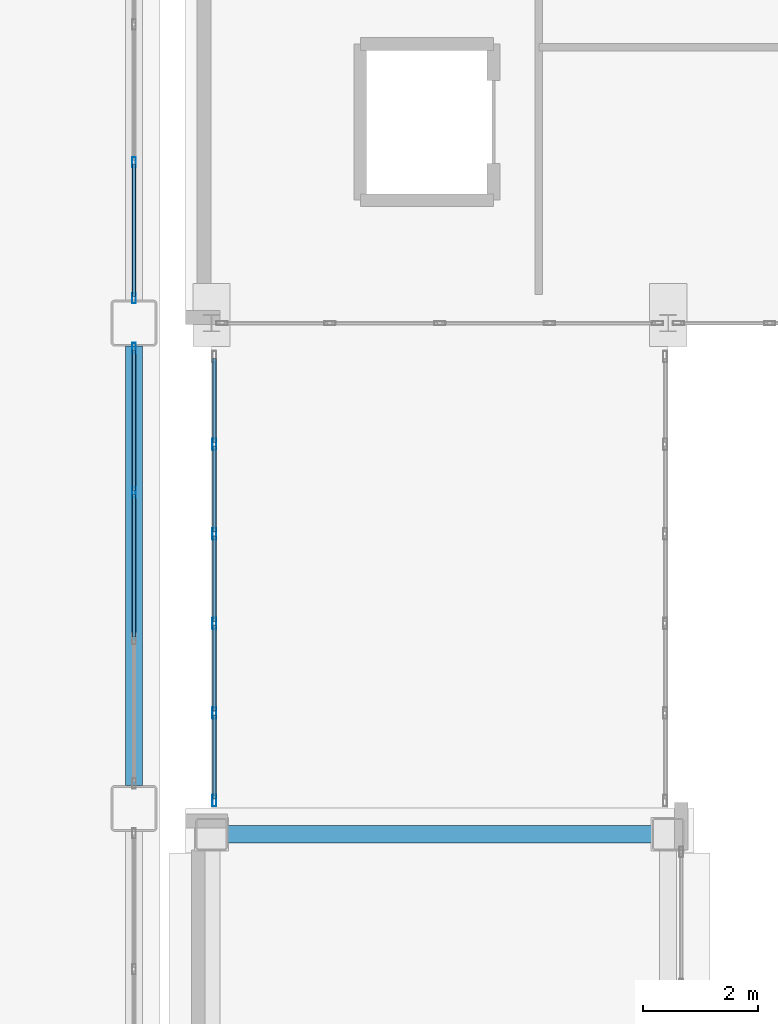
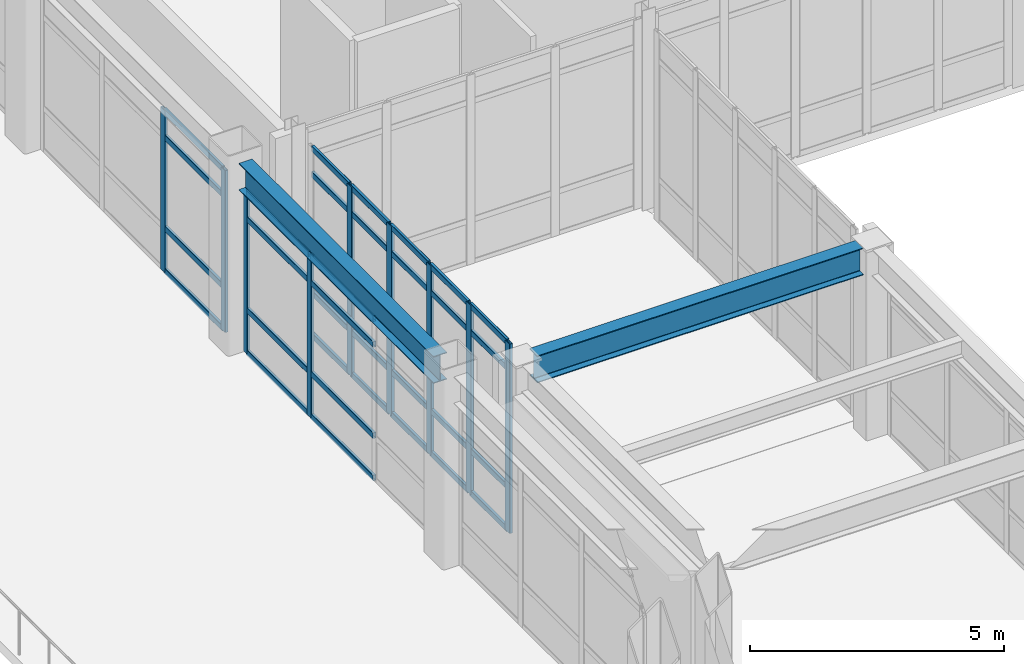
# One storey, part 63 of 154: 41 members, 2 beams, 3 elements without a shape of their own.
"""IFC4 building model written with IfcOpenShell, lengths in metres."""

import ifcopenshell
import ifcopenshell.guid

model = None  # the IFC model being written
_history = None  # IfcOwnerHistory: only IFC2X3 demands one
_inside = {}  # id of a spatial element -> (the spatial element, [elements in it])
_under = {}  # id of a project, library or spatial element -> (it, [spatial elements below it])
_declared = {}  # id of a project -> (the project, [libraries it declares])
_typed = {}  # id of a type object -> (the type object, [elements of that type])
_made_of = {}  # id of a material, layer set ... -> (it, [elements and type objects made of it])


def new_model(schema):
    """Start an empty IFC model of exactly this schema.

    Asked for "IFC4X3", IfcOpenShell would pick the latest addendum, in which some entities
    have other attributes; the version numbers below select the first issue.
    IFC2X3 requires an IfcOwnerHistory on every rooted entity: one is made here for all.
    """
    global model, _history
    if schema == "IFC4X3":
        model = ifcopenshell.file(schema_version=(4, 3, 0, 0))
    else:
        model = ifcopenshell.file(schema=schema)
    _inside.clear()
    _under.clear()
    _declared.clear()
    _typed.clear()
    _made_of.clear()
    _history = None
    if model.schema == "IFC2X3":
        org = make("IfcOrganization", Name="unknown")
        user = make(
            "IfcPersonAndOrganization",
            ThePerson=make("IfcPerson", FamilyName="unknown"),
            TheOrganization=org,
        )
        app = make(
            "IfcApplication",
            ApplicationDeveloper=org,
            Version="unknown",
            ApplicationFullName="unknown",
            ApplicationIdentifier="unknown",
        )
        _history = make(
            "IfcOwnerHistory",
            OwningUser=user,
            OwningApplication=app,
            ChangeAction="ADDED",
            CreationDate=0,
        )
    return model


def make(cls, **values):
    """One entity of the class cls with the attributes given. An attribute that is None is left unset."""
    return model.create_entity(
        cls, **{name: value for name, value in values.items() if value is not None}
    )


def rooted(cls, **values):
    """An entity with a GlobalId (a new one), such as an element, a storey or a relation."""
    return make(cls, GlobalId=ifcopenshell.guid.new(), OwnerHistory=_history, **values)


def si_unit(unit_type, name, prefix=None):
    """IfcSIUnit, for example si_unit("LENGTHUNIT", "METRE", prefix="MILLI")."""
    return make("IfcSIUnit", UnitType=unit_type, Prefix=prefix, Name=name)


def assignment(units):
    """IfcUnitAssignment: the units of a project."""
    return None if units is None else make("IfcUnitAssignment", Units=units)


def point(xyz):
    """IfcCartesianPoint."""
    return None if xyz is None else make("IfcCartesianPoint", Coordinates=xyz)


def direction(xyz):
    """IfcDirection."""
    return None if xyz is None else make("IfcDirection", DirectionRatios=xyz)


def frame(location, z_axis=None, x_axis=None):
    """IfcAxis2Placement3D, a coordinate frame: its origin and axes. An axis left out is left unset."""
    return make(
        "IfcAxis2Placement3D",
        Location=point(location),
        Axis=direction(z_axis),
        RefDirection=direction(x_axis),
    )


def frame_2d(location, x_axis=None):
    """IfcAxis2Placement2D, a coordinate frame in the plane: its origin and x axis."""
    return make(
        "IfcAxis2Placement2D", Location=point(location), RefDirection=direction(x_axis)
    )


def origin():
    """The frame at (0, 0, 0) with its axes left unset."""
    return frame((0.0, 0.0, 0.0))


def origin_2d():
    """The frame at (0, 0) in the plane with its x axis left unset."""
    return frame_2d((0.0, 0.0))


def place(relative_to, where):
    """IfcLocalPlacement: puts the frame where relative to a parent placement (None: the world)."""
    return make(
        "IfcLocalPlacement", PlacementRelTo=relative_to, RelativePlacement=where
    )


def context(
    kind, dimensions, precision=None, world=None, true_north=None, identifier=None
):
    """IfcGeometricRepresentationContext, for example the 3D "Model" context."""
    return make(
        "IfcGeometricRepresentationContext",
        ContextIdentifier=identifier,
        ContextType=kind,
        CoordinateSpaceDimension=dimensions,
        Precision=precision,
        WorldCoordinateSystem=world,
        TrueNorth=true_north,
    )


def subcontext(parent, identifier, kind, view, scale=None):
    """IfcGeometricRepresentationSubContext, for example "Body" below "Model"."""
    return make(
        "IfcGeometricRepresentationSubContext",
        ContextIdentifier=identifier,
        ContextType=kind,
        ParentContext=parent,
        TargetScale=scale,
        TargetView=view,
    )


def project(units=None, contexts=None):
    """IfcProject with its units and contexts."""
    return rooted(
        "IfcProject",
        Name="project",
        RepresentationContexts=contexts,
        UnitsInContext=assignment(units),
    )


def spatial(cls, under=None, at=None, **own):
    """A site, building, storey or space (cls), placed at a placement, below another one or the project."""
    s = rooted(cls, ObjectPlacement=at, **own)
    if under is not None:
        _under.setdefault(under.id(), (under, []))[1].append(s)
    return s


def profile(cls, at=None, kind="AREA", **sizes):
    """A parametric profile (cls). Its sizes go by their IFC names, for example OverallWidth=200.0."""
    return make(cls, ProfileType=kind, Position=at, **sizes)


def hollow_rectangle(**sizes):
    """IfcRectangleHollowProfileDef."""
    return profile("IfcRectangleHollowProfileDef", **sizes)


def i_section(**sizes):
    """IfcIShapeProfileDef."""
    return profile("IfcIShapeProfileDef", **sizes)


def extrude(swept, where, along, depth):
    """IfcExtrudedAreaSolid: the profile swept, set in the frame where, extruded along a direction by depth."""
    return make(
        "IfcExtrudedAreaSolid",
        SweptArea=swept,
        Position=where,
        ExtrudedDirection=direction(along),
        Depth=depth,
    )


def shape(context_of_items, identifier, shape_type, items):
    """IfcShapeRepresentation: the items that make up one representation, for example the "Body"."""
    return make(
        "IfcShapeRepresentation",
        ContextOfItems=context_of_items,
        RepresentationIdentifier=identifier,
        RepresentationType=shape_type,
        Items=items,
    )


def material(Name=None, Category=None):
    """IfcMaterial."""
    return make("IfcMaterial", Name=Name, Category=Category)


def layer(
    of_material, thickness, ventilated=None, Name=None, Category=None, Priority=None
):
    """IfcMaterialLayer: one layer of a wall or slab, of a material (None: an air gap)."""
    return make(
        "IfcMaterialLayer",
        Material=of_material,
        LayerThickness=thickness,
        IsVentilated=ventilated,
        Name=Name,
        Category=Category,
        Priority=Priority,
    )


def layer_set(layers, Name=None):
    """IfcMaterialLayerSet."""
    return make("IfcMaterialLayerSet", MaterialLayers=layers, LayerSetName=Name)


def material_profile(
    of_material, cross_section, Name=None, Category=None, Priority=None
):
    """IfcMaterialProfile: a cross section and its material."""
    return make(
        "IfcMaterialProfile",
        Name=Name,
        Material=of_material,
        Profile=cross_section,
        Priority=Priority,
        Category=Category,
    )


def profile_set(profiles, Name=None, composite=None):
    """IfcMaterialProfileSet."""
    return make(
        "IfcMaterialProfileSet",
        Name=Name,
        MaterialProfiles=profiles,
        CompositeProfile=composite,
    )


def made_of(thing, what):
    """Note that an element or type object is made of a material, layer set ...; save() writes the relation."""
    if what is not None:
        _made_of.setdefault(what.id(), (what, []))[1].append(thing)
    return thing


def type_object(cls, material=None, **own):
    """A type object (cls), such as IfcWallType, which elements share."""
    return made_of(rooted(cls, **own), material)


def element(
    cls,
    number,
    at=None,
    inside=None,
    cuts=None,
    type_object=None,
    material=None,
    context=None,
    identifier="Body",
    shape_type=None,
    held_by="IfcProductDefinitionShape",
    body=None,
    shapes=None,
    **own,
):
    """One element of the class cls, such as IfcWall. Its Tag is "e" and its number.

    at: its placement. inside: the storey or other place that contains it. cuts: it is an
    opening in that element (IfcRelVoidsElement). A single representation is given by context,
    identifier, shape_type and body (its items); several are given by shapes. held_by: the class
    of the entity that holds the representations. save() writes the other relations.
    """
    e = rooted(cls, Tag="e%d" % number, ObjectPlacement=at, **own)
    if body is not None:
        shapes = [shape(context, identifier, shape_type, body)]
    if shapes is not None:
        e.Representation = make(held_by, Representations=shapes)
    if inside is not None:
        _inside.setdefault(inside.id(), (inside, []))[1].append(e)
    if cuts is not None:
        rooted(
            "IfcRelVoidsElement", RelatingBuildingElement=cuts, RelatedOpeningElement=e
        )
    if type_object is not None:
        _typed.setdefault(type_object.id(), (type_object, []))[1].append(e)
    return made_of(e, material)


def aggregate(whole, parts):
    """IfcRelAggregates: a whole, such as a stair, and the parts it consists of."""
    return rooted("IfcRelAggregates", RelatingObject=whole, RelatedObjects=parts)


def save(model, path):
    """Write the relations noted so far, then the file.

    IfcRelAggregates (storeys below a building ...), IfcRelContainedInSpatialStructure (elements
    in a storey), IfcRelDefinesByType, IfcRelAssociatesMaterial and IfcRelDeclares: one each for
    every whole, place, type object, material and project.
    """
    for whole, parts in _under.values():
        aggregate(whole, parts)
    for where, things in _inside.values():
        rooted(
            "IfcRelContainedInSpatialStructure",
            RelatedElements=things,
            RelatingStructure=where,
        )
    for kind, things in _typed.values():
        rooted("IfcRelDefinesByType", RelatedObjects=things, RelatingType=kind)
    for what, things in _made_of.values():
        rooted("IfcRelAssociatesMaterial", RelatedObjects=things, RelatingMaterial=what)
    for by, libraries in _declared.values():
        rooted("IfcRelDeclares", RelatingContext=by, RelatedDefinitions=libraries)
    model.write(path)


model = new_model("IFC4")

# Units and contexts
model_context = context("Model", 3, precision=1e-05, world=origin(), true_north=direction((0.0, 1.0)))
body_context = subcontext(model_context, "Body", "Model", "MODEL_VIEW")
ifc_project = project(units=[si_unit("LENGTHUNIT", "METRE"), si_unit("AREAUNIT", "SQUARE_METRE"), si_unit("VOLUMEUNIT", "CUBIC_METRE"), si_unit("PLANEANGLEUNIT", "RADIAN"), si_unit("MASSUNIT", "GRAM", prefix="KILO")], contexts=[model_context])

# Site, building, storey
site_placement = place(None, origin())
site = spatial("IfcSite", under=ifc_project, at=site_placement, CompositionType="ELEMENT")
building_placement = place(site_placement, origin())
building = spatial("IfcBuilding", under=site, at=building_placement, Name="Kazehara Bluff Congress Hotel", CompositionType="ELEMENT")
storey_placement = place(building_placement, frame((0.0, 0.0, 10.199951171875)))
storey = spatial("IfcBuildingStorey", under=building, at=storey_placement, Name="L02", CompositionType="ELEMENT", Elevation=10.199951171875)

# Curtain wall, members
ifc_material_1 = material(Name="Anodised aluminium", Category="aluminium")
ifc_layer_1 = layer(ifc_material_1, 0.159912109375)
ifc_layer_set_1 = layer_set([ifc_layer_1], Name="Anodised aluminium")
curtain_wall_type_1 = type_object("IfcCurtainWallType", Name="TP-CW-22", PredefinedType="NOTDEFINED", material=ifc_layer_set_1)
curtain_wall_1_placement = place(storey_placement, origin())
curtain_wall_1 = element("IfcCurtainWall", 1, at=curtain_wall_1_placement, inside=storey, type_object=curtain_wall_type_1, Name="L02 curtain wall CW-22 CW-V1-L02-X5835-7285", PredefinedType="NOTDEFINED")
ifc_material_2 = material(Name="Anodised aluminium", Category="aluminium")
ifc_material_profile_1 = material_profile(ifc_material_2, hollow_rectangle(XDim=0.06494140625, YDim=0.179931640625, WallThickness=0.00390625, InnerFilletRadius=0.00390625, OuterFilletRadius=0.008056640625, at=origin_2d()))
ifc_profile_set_1 = profile_set([ifc_material_profile_1], Name="Anodised aluminium")
member_type_1 = type_object("IfcMemberType", Name="TP-CWM-02", PredefinedType="MULLION", material=ifc_profile_set_1)
member_1_placement = place(storey_placement, frame((58.35009765625, 77.949951171875, 0.0), z_axis=(0.0, 0.0, 1.0), x_axis=(-1.0, 0.0, 0.0)))
member_1 = element("IfcMember", 2, at=member_1_placement, type_object=member_type_1, Name="CW-22 mullion 3", PredefinedType="MULLION", context=body_context, shape_type="SweptSolid", body=[
    extrude(hollow_rectangle(XDim=0.06494140625, YDim=0.179931640625, WallThickness=0.00390625, InnerFilletRadius=0.00390625, OuterFilletRadius=0.008056640625, at=origin_2d()), origin(), (0.0, 0.0, 1.0), 3.885009765625),
])
member_2_placement = place(storey_placement, frame((58.35009765625, 80.467529296875, 0.0), z_axis=(0.0, 0.0, 1.0), x_axis=(-1.0, 0.0, 0.0)))
member_2 = element("IfcMember", 3, at=member_2_placement, type_object=member_type_1, Name="CW-22 mullion 4", PredefinedType="MULLION", context=body_context, shape_type="SweptSolid", body=[
    extrude(hollow_rectangle(XDim=0.06494140625, YDim=0.179931640625, WallThickness=0.00390625, InnerFilletRadius=0.00390625, OuterFilletRadius=0.008056640625, at=origin_2d()), origin(), (0.0, 0.0, 1.0), 3.885009765625),
])

ifc_material_3 = material(Name="Anodised aluminium", Category="aluminium")
ifc_layer_2 = layer(ifc_material_3, 0.159912109375)
ifc_layer_set_2 = layer_set([ifc_layer_2], Name="Anodised aluminium")
curtain_wall_type_2 = type_object("IfcCurtainWallType", Name="TP-CW-23", PredefinedType="NOTDEFINED", material=ifc_layer_set_2)
curtain_wall_2_placement = place(storey_placement, origin())
curtain_wall_2 = element("IfcCurtainWall", 4, at=curtain_wall_2_placement, inside=storey, type_object=curtain_wall_type_2, Name="L02 curtain wall CW-23 CW-V1-L02-X5835-8130", PredefinedType="NOTDEFINED")
member_3_placement = place(storey_placement, frame((58.35009765625, 81.33251953125, 0.0), z_axis=(0.0, 0.0, 1.0), x_axis=(-1.0, 0.0, 0.0)))
member_3 = element("IfcMember", 5, at=member_3_placement, type_object=member_type_1, Name="CW-23 mullion 1", PredefinedType="MULLION", context=body_context, shape_type="SweptSolid", body=[
    extrude(hollow_rectangle(XDim=0.06494140625, YDim=0.179931640625, WallThickness=0.00390625, InnerFilletRadius=0.00390625, OuterFilletRadius=0.008056640625, at=origin_2d()), origin(), (0.0, 0.0, 1.0), 3.885009765625),
])
member_4_placement = place(storey_placement, frame((58.35009765625, 83.699951171875, 0.0), z_axis=(0.0, 0.0, 1.0), x_axis=(-1.0, 0.0, 0.0)))
member_4 = element("IfcMember", 6, at=member_4_placement, type_object=member_type_1, Name="CW-23 mullion 2", PredefinedType="MULLION", context=body_context, shape_type="SweptSolid", body=[
    extrude(hollow_rectangle(XDim=0.06494140625, YDim=0.179931640625, WallThickness=0.00390625, InnerFilletRadius=0.00390625, OuterFilletRadius=0.008056640625, at=origin_2d()), origin(), (0.0, 0.0, 1.0), 3.885009765625),
])

ifc_material_4 = material(Name="Anodised aluminium", Category="aluminium")
ifc_layer_3 = layer(ifc_material_4, 0.159912109375)
ifc_layer_set_3 = layer_set([ifc_layer_3], Name="Anodised aluminium")
curtain_wall_type_3 = type_object("IfcCurtainWallType", Name="TP-CW-03", PredefinedType="NOTDEFINED", material=ifc_layer_set_3)
curtain_wall_3_placement = place(storey_placement, origin())
curtain_wall_3 = element("IfcCurtainWall", 7, at=curtain_wall_3_placement, inside=storey, type_object=curtain_wall_type_3, Name="L02 curtain wall CW-03 CW-BRG-34-L02-A", PredefinedType="NOTDEFINED")
ifc_material_5 = material(Name="Anodised aluminium", Category="aluminium")
ifc_material_profile_2 = material_profile(ifc_material_5, hollow_rectangle(XDim=0.070068359375, YDim=0.199951171875, WallThickness=0.0048828125, InnerFilletRadius=0.0048828125, OuterFilletRadius=0.010009765625, at=origin_2d()))
ifc_profile_set_2 = profile_set([ifc_material_profile_2], Name="Anodised aluminium")
member_type_2 = type_object("IfcMemberType", Name="TP-CWM-03", PredefinedType="MULLION", material=ifc_profile_set_2)
member_5_placement = place(storey_placement, frame((59.75, 72.5849609375, 0.0), z_axis=(0.0, 0.0, 1.0), x_axis=(-1.0, 0.0, 0.0)))
member_5 = element("IfcMember", 8, at=member_5_placement, type_object=member_type_2, Name="CW-03 mullion 1", PredefinedType="MULLION", context=body_context, shape_type="SweptSolid", body=[
    extrude(hollow_rectangle(XDim=0.070068359375, YDim=0.199951171875, WallThickness=0.0048828125, InnerFilletRadius=0.0048828125, OuterFilletRadius=0.010009765625, at=origin_2d()), origin(), (0.0, 0.0, 1.0), 4.545166015625),
])
member_6_placement = place(storey_placement, frame((59.75, 74.110107421875, 0.0), z_axis=(0.0, 0.0, 1.0), x_axis=(-1.0, 0.0, 0.0)))
member_6 = element("IfcMember", 9, at=member_6_placement, type_object=member_type_2, Name="CW-03 mullion 2", PredefinedType="MULLION", context=body_context, shape_type="SweptSolid", body=[
    extrude(hollow_rectangle(XDim=0.070068359375, YDim=0.199951171875, WallThickness=0.0048828125, InnerFilletRadius=0.0048828125, OuterFilletRadius=0.010009765625, at=origin_2d()), origin(), (0.0, 0.0, 1.0), 4.545166015625),
])
member_7_placement = place(storey_placement, frame((59.75, 75.669921875, 0.0), z_axis=(0.0, 0.0, 1.0), x_axis=(-1.0, 0.0, 0.0)))
member_7 = element("IfcMember", 10, at=member_7_placement, type_object=member_type_2, Name="CW-03 mullion 3", PredefinedType="MULLION", context=body_context, shape_type="SweptSolid", body=[
    extrude(hollow_rectangle(XDim=0.070068359375, YDim=0.199951171875, WallThickness=0.0048828125, InnerFilletRadius=0.0048828125, OuterFilletRadius=0.010009765625, at=origin_2d()), origin(), (0.0, 0.0, 1.0), 4.545166015625),
])
member_8_placement = place(storey_placement, frame((59.75, 77.22998046875, 0.0), z_axis=(0.0, 0.0, 1.0), x_axis=(-1.0, 0.0, 0.0)))
member_8 = element("IfcMember", 11, at=member_8_placement, type_object=member_type_2, Name="CW-03 mullion 4", PredefinedType="MULLION", context=body_context, shape_type="SweptSolid", body=[
    extrude(hollow_rectangle(XDim=0.070068359375, YDim=0.199951171875, WallThickness=0.0048828125, InnerFilletRadius=0.0048828125, OuterFilletRadius=0.010009765625, at=origin_2d()), origin(), (0.0, 0.0, 1.0), 4.545166015625),
])
member_9_placement = place(storey_placement, frame((59.75, 78.7900390625, 0.0), z_axis=(0.0, 0.0, 1.0), x_axis=(-1.0, 0.0, 0.0)))
member_9 = element("IfcMember", 12, at=member_9_placement, type_object=member_type_2, Name="CW-03 mullion 5", PredefinedType="MULLION", context=body_context, shape_type="SweptSolid", body=[
    extrude(hollow_rectangle(XDim=0.070068359375, YDim=0.199951171875, WallThickness=0.0048828125, InnerFilletRadius=0.0048828125, OuterFilletRadius=0.010009765625, at=origin_2d()), origin(), (0.0, 0.0, 1.0), 4.545166015625),
])
ifc_material_6 = material(Name="Anodised aluminium", Category="aluminium")
ifc_material_profile_3 = material_profile(ifc_material_6, hollow_rectangle(XDim=0.06494140625, YDim=0.139892578125, WallThickness=0.00390625, InnerFilletRadius=0.00390625, OuterFilletRadius=0.008056640625, at=origin_2d()))
ifc_profile_set_3 = profile_set([ifc_material_profile_3], Name="Anodised aluminium")
member_type_3 = type_object("IfcMemberType", Name="TP-CWT-02", PredefinedType="USERDEFINED", material=ifc_profile_set_3)
member_10_placement = place(storey_placement, frame((59.75, 72.6201171875, 0.032470703125), z_axis=(0.0, 1.0, 0.0), x_axis=(-1.0, 0.0, 0.0)))
member_10 = element("IfcMember", 13, at=member_10_placement, type_object=member_type_3, Name="CW-03 transom 1.1", ObjectType="TRANSOM", PredefinedType="USERDEFINED", context=body_context, shape_type="SweptSolid", body=[
    extrude(hollow_rectangle(XDim=0.06494140625, YDim=0.139892578125, WallThickness=0.00390625, InnerFilletRadius=0.00390625, OuterFilletRadius=0.008056640625, at=origin_2d()), origin(), (0.0, 0.0, 1.0), 1.454833984375),
])
member_11_placement = place(storey_placement, frame((59.75, 72.6201171875, 1.050048828125), z_axis=(0.0, 1.0, 0.0), x_axis=(-1.0, 0.0, 0.0)))
member_11 = element("IfcMember", 14, at=member_11_placement, type_object=member_type_3, Name="CW-03 transom 1.2", ObjectType="TRANSOM", PredefinedType="USERDEFINED", context=body_context, shape_type="SweptSolid", body=[
    extrude(hollow_rectangle(XDim=0.06494140625, YDim=0.139892578125, WallThickness=0.00390625, InnerFilletRadius=0.00390625, OuterFilletRadius=0.008056640625, at=origin_2d()), origin(), (0.0, 0.0, 1.0), 1.454833984375),
])
member_12_placement = place(storey_placement, frame((59.75, 72.6201171875, 3.89501953125), z_axis=(0.0, 1.0, 0.0), x_axis=(-1.0, 0.0, 0.0)))
member_12 = element("IfcMember", 15, at=member_12_placement, type_object=member_type_3, Name="CW-03 transom 1.3", ObjectType="TRANSOM", PredefinedType="USERDEFINED", context=body_context, shape_type="SweptSolid", body=[
    extrude(hollow_rectangle(XDim=0.06494140625, YDim=0.139892578125, WallThickness=0.00390625, InnerFilletRadius=0.00390625, OuterFilletRadius=0.008056640625, at=origin_2d()), origin(), (0.0, 0.0, 1.0), 1.454833984375),
])
member_13_placement = place(storey_placement, frame((59.75, 72.6201171875, 4.512451171875), z_axis=(0.0, 1.0, 0.0), x_axis=(-1.0, 0.0, 0.0)))
member_13 = element("IfcMember", 16, at=member_13_placement, type_object=member_type_3, Name="CW-03 transom 1.4", ObjectType="TRANSOM", PredefinedType="USERDEFINED", context=body_context, shape_type="SweptSolid", body=[
    extrude(hollow_rectangle(XDim=0.06494140625, YDim=0.139892578125, WallThickness=0.00390625, InnerFilletRadius=0.00390625, OuterFilletRadius=0.008056640625, at=origin_2d()), origin(), (0.0, 0.0, 1.0), 1.454833984375),
])
member_14_placement = place(storey_placement, frame((59.75, 74.14501953125, 0.032470703125), z_axis=(0.0, 1.0, 0.0), x_axis=(-1.0, 0.0, 0.0)))
member_14 = element("IfcMember", 17, at=member_14_placement, type_object=member_type_3, Name="CW-03 transom 2.1", ObjectType="TRANSOM", PredefinedType="USERDEFINED", context=body_context, shape_type="SweptSolid", body=[
    extrude(hollow_rectangle(XDim=0.06494140625, YDim=0.139892578125, WallThickness=0.00390625, InnerFilletRadius=0.00390625, OuterFilletRadius=0.008056640625, at=origin_2d()), origin(), (0.0, 0.0, 1.0), 1.489990234375),
])
member_15_placement = place(storey_placement, frame((59.75, 74.14501953125, 1.050048828125), z_axis=(0.0, 1.0, 0.0), x_axis=(-1.0, 0.0, 0.0)))
member_15 = element("IfcMember", 18, at=member_15_placement, type_object=member_type_3, Name="CW-03 transom 2.2", ObjectType="TRANSOM", PredefinedType="USERDEFINED", context=body_context, shape_type="SweptSolid", body=[
    extrude(hollow_rectangle(XDim=0.06494140625, YDim=0.139892578125, WallThickness=0.00390625, InnerFilletRadius=0.00390625, OuterFilletRadius=0.008056640625, at=origin_2d()), origin(), (0.0, 0.0, 1.0), 1.489990234375),
])
member_16_placement = place(storey_placement, frame((59.75, 74.14501953125, 3.89501953125), z_axis=(0.0, 1.0, 0.0), x_axis=(-1.0, 0.0, 0.0)))
member_16 = element("IfcMember", 19, at=member_16_placement, type_object=member_type_3, Name="CW-03 transom 2.3", ObjectType="TRANSOM", PredefinedType="USERDEFINED", context=body_context, shape_type="SweptSolid", body=[
    extrude(hollow_rectangle(XDim=0.06494140625, YDim=0.139892578125, WallThickness=0.00390625, InnerFilletRadius=0.00390625, OuterFilletRadius=0.008056640625, at=origin_2d()), origin(), (0.0, 0.0, 1.0), 1.489990234375),
])
member_17_placement = place(storey_placement, frame((59.75, 74.14501953125, 4.512451171875), z_axis=(0.0, 1.0, 0.0), x_axis=(-1.0, 0.0, 0.0)))
member_17 = element("IfcMember", 20, at=member_17_placement, type_object=member_type_3, Name="CW-03 transom 2.4", ObjectType="TRANSOM", PredefinedType="USERDEFINED", context=body_context, shape_type="SweptSolid", body=[
    extrude(hollow_rectangle(XDim=0.06494140625, YDim=0.139892578125, WallThickness=0.00390625, InnerFilletRadius=0.00390625, OuterFilletRadius=0.008056640625, at=origin_2d()), origin(), (0.0, 0.0, 1.0), 1.489990234375),
])
member_18_placement = place(storey_placement, frame((59.75, 75.705078125, 0.032470703125), z_axis=(0.0, 1.0, 0.0), x_axis=(-1.0, 0.0, 0.0)))
member_18 = element("IfcMember", 21, at=member_18_placement, type_object=member_type_3, Name="CW-03 transom 3.1", ObjectType="TRANSOM", PredefinedType="USERDEFINED", context=body_context, shape_type="SweptSolid", body=[
    extrude(hollow_rectangle(XDim=0.06494140625, YDim=0.139892578125, WallThickness=0.00390625, InnerFilletRadius=0.00390625, OuterFilletRadius=0.008056640625, at=origin_2d()), origin(), (0.0, 0.0, 1.0), 1.489990234375),
])
member_19_placement = place(storey_placement, frame((59.75, 75.705078125, 1.050048828125), z_axis=(0.0, 1.0, 0.0), x_axis=(-1.0, 0.0, 0.0)))
member_19 = element("IfcMember", 22, at=member_19_placement, type_object=member_type_3, Name="CW-03 transom 3.2", ObjectType="TRANSOM", PredefinedType="USERDEFINED", context=body_context, shape_type="SweptSolid", body=[
    extrude(hollow_rectangle(XDim=0.06494140625, YDim=0.139892578125, WallThickness=0.00390625, InnerFilletRadius=0.00390625, OuterFilletRadius=0.008056640625, at=origin_2d()), origin(), (0.0, 0.0, 1.0), 1.489990234375),
])
member_20_placement = place(storey_placement, frame((59.75, 75.705078125, 3.89501953125), z_axis=(0.0, 1.0, 0.0), x_axis=(-1.0, 0.0, 0.0)))
member_20 = element("IfcMember", 23, at=member_20_placement, type_object=member_type_3, Name="CW-03 transom 3.3", ObjectType="TRANSOM", PredefinedType="USERDEFINED", context=body_context, shape_type="SweptSolid", body=[
    extrude(hollow_rectangle(XDim=0.06494140625, YDim=0.139892578125, WallThickness=0.00390625, InnerFilletRadius=0.00390625, OuterFilletRadius=0.008056640625, at=origin_2d()), origin(), (0.0, 0.0, 1.0), 1.489990234375),
])
member_21_placement = place(storey_placement, frame((59.75, 75.705078125, 4.512451171875), z_axis=(0.0, 1.0, 0.0), x_axis=(-1.0, 0.0, 0.0)))
member_21 = element("IfcMember", 24, at=member_21_placement, type_object=member_type_3, Name="CW-03 transom 3.4", ObjectType="TRANSOM", PredefinedType="USERDEFINED", context=body_context, shape_type="SweptSolid", body=[
    extrude(hollow_rectangle(XDim=0.06494140625, YDim=0.139892578125, WallThickness=0.00390625, InnerFilletRadius=0.00390625, OuterFilletRadius=0.008056640625, at=origin_2d()), origin(), (0.0, 0.0, 1.0), 1.489990234375),
])
member_22_placement = place(storey_placement, frame((59.75, 77.264892578125, 0.032470703125), z_axis=(0.0, 1.0, 0.0), x_axis=(-1.0, 0.0, 0.0)))
member_22 = element("IfcMember", 25, at=member_22_placement, type_object=member_type_3, Name="CW-03 transom 4.1", ObjectType="TRANSOM", PredefinedType="USERDEFINED", context=body_context, shape_type="SweptSolid", body=[
    extrude(hollow_rectangle(XDim=0.06494140625, YDim=0.139892578125, WallThickness=0.00390625, InnerFilletRadius=0.00390625, OuterFilletRadius=0.008056640625, at=origin_2d()), origin(), (0.0, 0.0, 1.0), 1.489990234375),
])
member_23_placement = place(storey_placement, frame((59.75, 77.264892578125, 1.050048828125), z_axis=(0.0, 1.0, 0.0), x_axis=(-1.0, 0.0, 0.0)))
member_23 = element("IfcMember", 26, at=member_23_placement, type_object=member_type_3, Name="CW-03 transom 4.2", ObjectType="TRANSOM", PredefinedType="USERDEFINED", context=body_context, shape_type="SweptSolid", body=[
    extrude(hollow_rectangle(XDim=0.06494140625, YDim=0.139892578125, WallThickness=0.00390625, InnerFilletRadius=0.00390625, OuterFilletRadius=0.008056640625, at=origin_2d()), origin(), (0.0, 0.0, 1.0), 1.489990234375),
])
member_24_placement = place(storey_placement, frame((59.75, 77.264892578125, 3.89501953125), z_axis=(0.0, 1.0, 0.0), x_axis=(-1.0, 0.0, 0.0)))
member_24 = element("IfcMember", 27, at=member_24_placement, type_object=member_type_3, Name="CW-03 transom 4.3", ObjectType="TRANSOM", PredefinedType="USERDEFINED", context=body_context, shape_type="SweptSolid", body=[
    extrude(hollow_rectangle(XDim=0.06494140625, YDim=0.139892578125, WallThickness=0.00390625, InnerFilletRadius=0.00390625, OuterFilletRadius=0.008056640625, at=origin_2d()), origin(), (0.0, 0.0, 1.0), 1.489990234375),
])
member_25_placement = place(storey_placement, frame((59.75, 77.264892578125, 4.512451171875), z_axis=(0.0, 1.0, 0.0), x_axis=(-1.0, 0.0, 0.0)))
member_25 = element("IfcMember", 28, at=member_25_placement, type_object=member_type_3, Name="CW-03 transom 4.4", ObjectType="TRANSOM", PredefinedType="USERDEFINED", context=body_context, shape_type="SweptSolid", body=[
    extrude(hollow_rectangle(XDim=0.06494140625, YDim=0.139892578125, WallThickness=0.00390625, InnerFilletRadius=0.00390625, OuterFilletRadius=0.008056640625, at=origin_2d()), origin(), (0.0, 0.0, 1.0), 1.489990234375),
])
member_26_placement = place(storey_placement, frame((59.75, 78.824951171875, 0.032470703125), z_axis=(0.0, 1.0, 0.0), x_axis=(-1.0, 0.0, 0.0)))
member_26 = element("IfcMember", 29, at=member_26_placement, type_object=member_type_3, Name="CW-03 transom 5.1", ObjectType="TRANSOM", PredefinedType="USERDEFINED", context=body_context, shape_type="SweptSolid", body=[
    extrude(hollow_rectangle(XDim=0.06494140625, YDim=0.139892578125, WallThickness=0.00390625, InnerFilletRadius=0.00390625, OuterFilletRadius=0.008056640625, at=origin_2d()), origin(), (0.0, 0.0, 1.0), 1.455078125),
])
member_27_placement = place(storey_placement, frame((59.75, 78.824951171875, 1.050048828125), z_axis=(0.0, 1.0, 0.0), x_axis=(-1.0, 0.0, 0.0)))
member_27 = element("IfcMember", 30, at=member_27_placement, type_object=member_type_3, Name="CW-03 transom 5.2", ObjectType="TRANSOM", PredefinedType="USERDEFINED", context=body_context, shape_type="SweptSolid", body=[
    extrude(hollow_rectangle(XDim=0.06494140625, YDim=0.139892578125, WallThickness=0.00390625, InnerFilletRadius=0.00390625, OuterFilletRadius=0.008056640625, at=origin_2d()), origin(), (0.0, 0.0, 1.0), 1.455078125),
])
member_28_placement = place(storey_placement, frame((59.75, 78.824951171875, 3.89501953125), z_axis=(0.0, 1.0, 0.0), x_axis=(-1.0, 0.0, 0.0)))
member_28 = element("IfcMember", 31, at=member_28_placement, type_object=member_type_3, Name="CW-03 transom 5.3", ObjectType="TRANSOM", PredefinedType="USERDEFINED", context=body_context, shape_type="SweptSolid", body=[
    extrude(hollow_rectangle(XDim=0.06494140625, YDim=0.139892578125, WallThickness=0.00390625, InnerFilletRadius=0.00390625, OuterFilletRadius=0.008056640625, at=origin_2d()), origin(), (0.0, 0.0, 1.0), 1.455078125),
])
member_29_placement = place(storey_placement, frame((59.75, 78.824951171875, 4.512451171875), z_axis=(0.0, 1.0, 0.0), x_axis=(-1.0, 0.0, 0.0)))
member_29 = element("IfcMember", 32, at=member_29_placement, type_object=member_type_3, Name="CW-03 transom 5.4", ObjectType="TRANSOM", PredefinedType="USERDEFINED", context=body_context, shape_type="SweptSolid", body=[
    extrude(hollow_rectangle(XDim=0.06494140625, YDim=0.139892578125, WallThickness=0.00390625, InnerFilletRadius=0.00390625, OuterFilletRadius=0.008056640625, at=origin_2d()), origin(), (0.0, 0.0, 1.0), 1.455078125),
])
aggregate(curtain_wall_3, [member_5, member_6, member_7, member_8, member_9, member_10, member_11, member_12, member_13, member_14, member_15, member_16, member_17, member_18, member_19, member_20, member_21, member_22, member_23, member_24, member_25, member_26, member_27, member_28, member_29])

# Member
member_30_placement = place(storey_placement, frame((58.35009765625, 75.4326171875, 0.032470703125), z_axis=(0.0, 1.0, 0.0), x_axis=(-1.0, 0.0, 0.0)))
member_30 = element("IfcMember", 33, at=member_30_placement, type_object=member_type_3, Name="CW-22 transom 2.1", ObjectType="TRANSOM", PredefinedType="USERDEFINED", context=body_context, shape_type="SweptSolid", body=[
    extrude(hollow_rectangle(XDim=0.06494140625, YDim=0.139892578125, WallThickness=0.00390625, InnerFilletRadius=0.00390625, OuterFilletRadius=0.008056640625, at=origin_2d()), origin(), (0.0, 0.0, 1.0), 2.48486328125),
])

member_31_placement = place(storey_placement, frame((58.35009765625, 75.4326171875, 1.050048828125), z_axis=(0.0, 1.0, 0.0), x_axis=(-1.0, 0.0, 0.0)))
member_31 = element("IfcMember", 34, at=member_31_placement, type_object=member_type_3, Name="CW-22 transom 2.2", ObjectType="TRANSOM", PredefinedType="USERDEFINED", context=body_context, shape_type="SweptSolid", body=[
    extrude(hollow_rectangle(XDim=0.06494140625, YDim=0.139892578125, WallThickness=0.00390625, InnerFilletRadius=0.00390625, OuterFilletRadius=0.008056640625, at=origin_2d()), origin(), (0.0, 0.0, 1.0), 2.48486328125),
])

member_32_placement = place(storey_placement, frame((58.35009765625, 75.4326171875, 3.235107421875), z_axis=(0.0, 1.0, 0.0), x_axis=(-1.0, 0.0, 0.0)))
member_32 = element("IfcMember", 35, at=member_32_placement, type_object=member_type_3, Name="CW-22 transom 2.3", ObjectType="TRANSOM", PredefinedType="USERDEFINED", context=body_context, shape_type="SweptSolid", body=[
    extrude(hollow_rectangle(XDim=0.06494140625, YDim=0.139892578125, WallThickness=0.00390625, InnerFilletRadius=0.00390625, OuterFilletRadius=0.008056640625, at=origin_2d()), origin(), (0.0, 0.0, 1.0), 2.48486328125),
])

member_33_placement = place(storey_placement, frame((58.35009765625, 75.4326171875, 3.8525390625), z_axis=(0.0, 1.0, 0.0), x_axis=(-1.0, 0.0, 0.0)))
member_33 = element("IfcMember", 36, at=member_33_placement, type_object=member_type_3, Name="CW-22 transom 2.4", ObjectType="TRANSOM", PredefinedType="USERDEFINED", context=body_context, shape_type="SweptSolid", body=[
    extrude(hollow_rectangle(XDim=0.06494140625, YDim=0.139892578125, WallThickness=0.00390625, InnerFilletRadius=0.00390625, OuterFilletRadius=0.008056640625, at=origin_2d()), origin(), (0.0, 0.0, 1.0), 2.48486328125),
])

member_34_placement = place(storey_placement, frame((58.35009765625, 77.982421875, 0.032470703125), z_axis=(0.0, 1.0, 0.0), x_axis=(-1.0, 0.0, 0.0)))
member_34 = element("IfcMember", 37, at=member_34_placement, type_object=member_type_3, Name="CW-22 transom 3.1", ObjectType="TRANSOM", PredefinedType="USERDEFINED", context=body_context, shape_type="SweptSolid", body=[
    extrude(hollow_rectangle(XDim=0.06494140625, YDim=0.139892578125, WallThickness=0.00390625, InnerFilletRadius=0.00390625, OuterFilletRadius=0.008056640625, at=origin_2d()), origin(), (0.0, 0.0, 1.0), 2.45263671875),
])

member_35_placement = place(storey_placement, frame((58.35009765625, 77.982421875, 1.050048828125), z_axis=(0.0, 1.0, 0.0), x_axis=(-1.0, 0.0, 0.0)))
member_35 = element("IfcMember", 38, at=member_35_placement, type_object=member_type_3, Name="CW-22 transom 3.2", ObjectType="TRANSOM", PredefinedType="USERDEFINED", context=body_context, shape_type="SweptSolid", body=[
    extrude(hollow_rectangle(XDim=0.06494140625, YDim=0.139892578125, WallThickness=0.00390625, InnerFilletRadius=0.00390625, OuterFilletRadius=0.008056640625, at=origin_2d()), origin(), (0.0, 0.0, 1.0), 2.45263671875),
])

member_36_placement = place(storey_placement, frame((58.35009765625, 77.982421875, 3.235107421875), z_axis=(0.0, 1.0, 0.0), x_axis=(-1.0, 0.0, 0.0)))
member_36 = element("IfcMember", 39, at=member_36_placement, type_object=member_type_3, Name="CW-22 transom 3.3", ObjectType="TRANSOM", PredefinedType="USERDEFINED", context=body_context, shape_type="SweptSolid", body=[
    extrude(hollow_rectangle(XDim=0.06494140625, YDim=0.139892578125, WallThickness=0.00390625, InnerFilletRadius=0.00390625, OuterFilletRadius=0.008056640625, at=origin_2d()), origin(), (0.0, 0.0, 1.0), 2.45263671875),
])

member_37_placement = place(storey_placement, frame((58.35009765625, 77.982421875, 3.8525390625), z_axis=(0.0, 1.0, 0.0), x_axis=(-1.0, 0.0, 0.0)))
member_37 = element("IfcMember", 40, at=member_37_placement, type_object=member_type_3, Name="CW-22 transom 3.4", ObjectType="TRANSOM", PredefinedType="USERDEFINED", context=body_context, shape_type="SweptSolid", body=[
    extrude(hollow_rectangle(XDim=0.06494140625, YDim=0.139892578125, WallThickness=0.00390625, InnerFilletRadius=0.00390625, OuterFilletRadius=0.008056640625, at=origin_2d()), origin(), (0.0, 0.0, 1.0), 2.45263671875),
])

aggregate(curtain_wall_1, [member_1, member_2, member_30, member_31, member_32, member_33, member_34, member_35, member_36, member_37])

member_38_placement = place(storey_placement, frame((58.35009765625, 81.364990234375, 0.032470703125), z_axis=(0.0, 1.0, 0.0), x_axis=(-1.0, 0.0, 0.0)))
member_38 = element("IfcMember", 41, at=member_38_placement, type_object=member_type_3, Name="CW-23 transom 1.1", ObjectType="TRANSOM", PredefinedType="USERDEFINED", context=body_context, shape_type="SweptSolid", body=[
    extrude(hollow_rectangle(XDim=0.06494140625, YDim=0.139892578125, WallThickness=0.00390625, InnerFilletRadius=0.00390625, OuterFilletRadius=0.008056640625, at=origin_2d()), origin(), (0.0, 0.0, 1.0), 2.302490234375),
])

member_39_placement = place(storey_placement, frame((58.35009765625, 81.364990234375, 1.050048828125), z_axis=(0.0, 1.0, 0.0), x_axis=(-1.0, 0.0, 0.0)))
member_39 = element("IfcMember", 42, at=member_39_placement, type_object=member_type_3, Name="CW-23 transom 1.2", ObjectType="TRANSOM", PredefinedType="USERDEFINED", context=body_context, shape_type="SweptSolid", body=[
    extrude(hollow_rectangle(XDim=0.06494140625, YDim=0.139892578125, WallThickness=0.00390625, InnerFilletRadius=0.00390625, OuterFilletRadius=0.008056640625, at=origin_2d()), origin(), (0.0, 0.0, 1.0), 2.302490234375),
])

member_40_placement = place(storey_placement, frame((58.35009765625, 81.364990234375, 3.235107421875), z_axis=(0.0, 1.0, 0.0), x_axis=(-1.0, 0.0, 0.0)))
member_40 = element("IfcMember", 43, at=member_40_placement, type_object=member_type_3, Name="CW-23 transom 1.3", ObjectType="TRANSOM", PredefinedType="USERDEFINED", context=body_context, shape_type="SweptSolid", body=[
    extrude(hollow_rectangle(XDim=0.06494140625, YDim=0.139892578125, WallThickness=0.00390625, InnerFilletRadius=0.00390625, OuterFilletRadius=0.008056640625, at=origin_2d()), origin(), (0.0, 0.0, 1.0), 2.302490234375),
])

member_41_placement = place(storey_placement, frame((58.35009765625, 81.364990234375, 3.8525390625), z_axis=(0.0, 1.0, 0.0), x_axis=(-1.0, 0.0, 0.0)))
member_41 = element("IfcMember", 44, at=member_41_placement, type_object=member_type_3, Name="CW-23 transom 1.4", ObjectType="TRANSOM", PredefinedType="USERDEFINED", context=body_context, shape_type="SweptSolid", body=[
    extrude(hollow_rectangle(XDim=0.06494140625, YDim=0.139892578125, WallThickness=0.00390625, InnerFilletRadius=0.00390625, OuterFilletRadius=0.008056640625, at=origin_2d()), origin(), (0.0, 0.0, 1.0), 2.302490234375),
])

aggregate(curtain_wall_2, [member_3, member_4, member_38, member_39, member_40, member_41])

# Beams
ifc_material_7 = material(Name="Steel SN490B", Category="steel")
ifc_material_profile_4 = material_profile(ifc_material_7, i_section(OverallWidth=0.300048828125, OverallDepth=0.64990234375, WebThickness=0.011962890625, FlangeThickness=0.02001953125, FilletRadius=0.012939453125, at=origin_2d()))
ifc_profile_set_4 = profile_set([ifc_material_profile_4], Name="Steel SN490B")
beam_type = type_object("IfcBeamType", Name="TP-G-03", PredefinedType="BEAM", material=ifc_profile_set_4)
beam_1_placement = place(storey_placement, frame((58.35009765625, 72.85009765625, 4.235107421875), z_axis=(0.0, 1.0, 0.0), x_axis=(-1.0, 0.0, 0.0)))
element("IfcBeam", 45, at=beam_1_placement, inside=storey, type_object=beam_type, Name="L02 girder G-03 20", PredefinedType="BEAM", context=body_context, shape_type="SweptSolid", body=[
    extrude(i_section(OverallWidth=0.300048828125, OverallDepth=0.64990234375, WebThickness=0.011962890625, FlangeThickness=0.02001953125, FilletRadius=0.012939453125, at=origin_2d()), origin(), (0.0, 0.0, 1.0), 7.64990234375),
])
beam_2_placement = place(storey_placement, frame((59.97509765625, 72.0, 4.235107421875), z_axis=(1.0, 0.0, 0.0), x_axis=(0.0, 1.0, 0.0)))
element("IfcBeam", 46, at=beam_2_placement, inside=storey, type_object=beam_type, Name="L02 girder G-03 129", PredefinedType="BEAM", context=body_context, shape_type="SweptSolid", body=[
    extrude(i_section(OverallWidth=0.300048828125, OverallDepth=0.64990234375, WebThickness=0.011962890625, FlangeThickness=0.02001953125, FilletRadius=0.012939453125, at=origin_2d()), origin(), (0.0, 0.0, 1.0), 7.39990234375),
])

save(model, "model.ifc")
